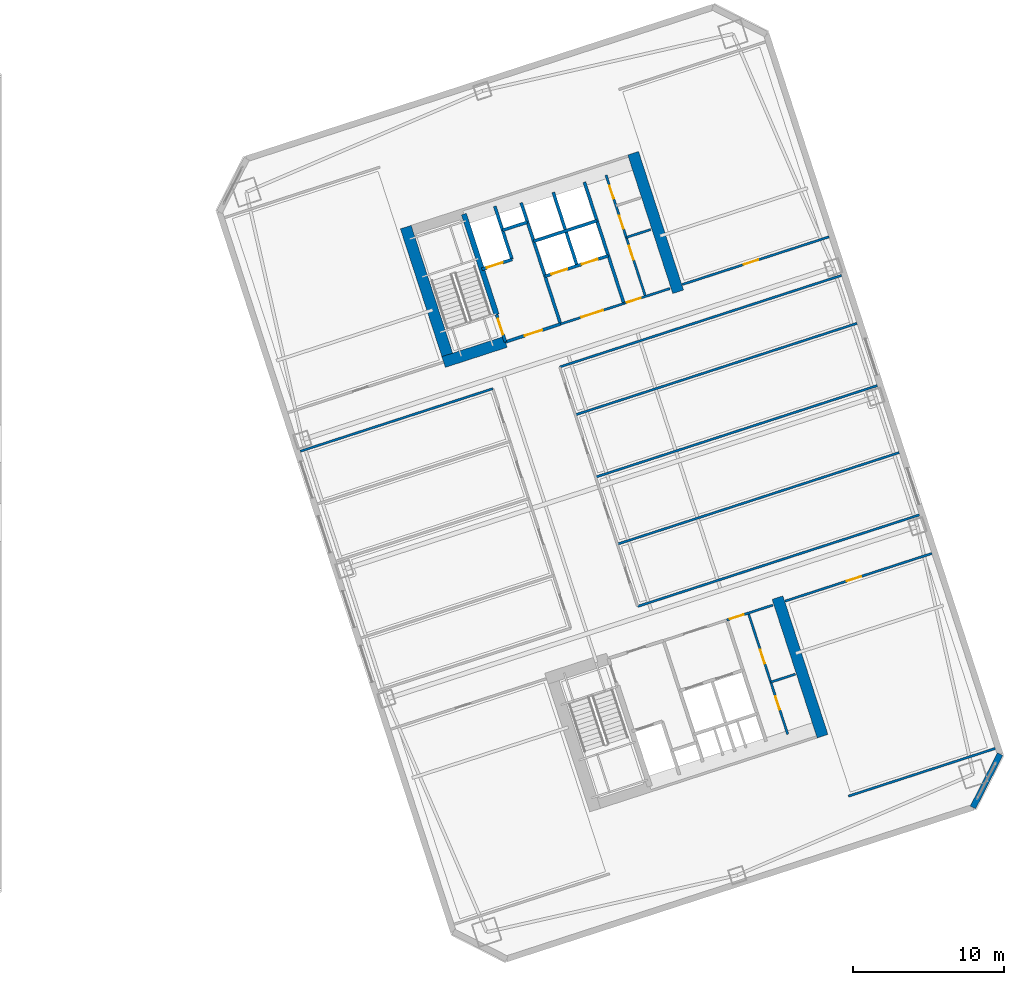
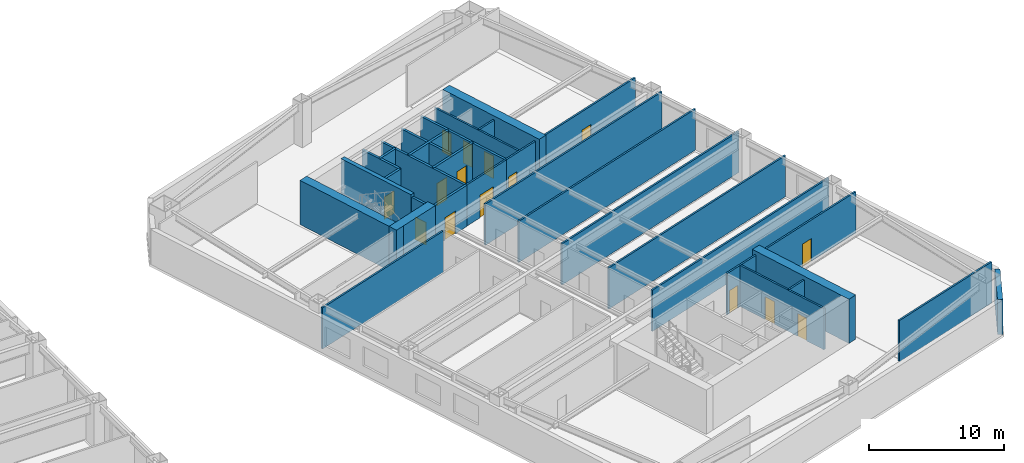
# One storey, part 14 of 24: 32 walls, 15 doors, 15 openings.
"""IFC4 building model written with IfcOpenShell, lengths in metres."""

from ifc_helpers import new_model, si_unit, direction, frame, frame_2d, origin, place, context, subcontext, project, spatial, rectangle, extrude, material, layer, layer_set, type_object, element, fill, save


model = new_model("IFC4")

# Units and contexts
model_context = context("Model", 3, precision=1e-05, world=origin(), true_north=direction((0.0, 1.0)))
body_context = subcontext(model_context, "Body", "Model", "MODEL_VIEW")
ifc_project = project(units=[si_unit("LENGTHUNIT", "METRE"), si_unit("AREAUNIT", "SQUARE_METRE"), si_unit("VOLUMEUNIT", "CUBIC_METRE"), si_unit("PLANEANGLEUNIT", "RADIAN"), si_unit("MASSUNIT", "GRAM", prefix="KILO")], contexts=[model_context])

# Site, building, storey
site_placement = place(None, origin())
site = spatial("IfcSite", under=ifc_project, at=site_placement, CompositionType="ELEMENT")
building_placement = place(site_placement, origin())
building = spatial("IfcBuilding", under=site, at=building_placement, Name="Qiaolan Cultural Towers", CompositionType="ELEMENT")
storey_placement = place(building_placement, frame((0.0, 0.0, 30.0)))
storey = spatial("IfcBuildingStorey", under=building, at=storey_placement, Name="L06", CompositionType="ELEMENT", Elevation=30.0)

# Walls
ifc_material_1 = material(Name="Concrete C50", Category="concrete")
ifc_layer_1 = layer(ifc_material_1, 0.35009765625)
ifc_layer_set_1 = layer_set([ifc_layer_1], Name="Concrete C50")
wall_type_1 = type_object("IfcWallType", Name="WL-CORE-350", PredefinedType="SHEAR", material=ifc_layer_set_1)
wall_1_placement = place(storey_placement, frame((82.513671875, 45.13134765625, 0.0), z_axis=(0.0, 0.0, 1.0), x_axis=(-0.308988790936, 0.951065679686, 0.0)))
element("IfcWall", 1, at=wall_1_placement, inside=storey, type_object=wall_type_1, Name="L06 T2-CN Stair Core Dividing Web", PredefinedType="SHEAR", context=body_context, shape_type="SweptSolid", body=[
    extrude(rectangle(XDim=6.97998046875, YDim=0.35009765625, at=frame_2d((3.489990234375, 0.0))), origin(), (0.0, 0.0, 1.0), 4.0),
])
ifc_material_2 = material(Name="Concrete C60", Category="concrete")
ifc_layer_2 = layer(ifc_material_2, 0.75)
ifc_layer_set_2 = layer_set([ifc_layer_2], Name="Concrete C60")
wall_type_2 = type_object("IfcWallType", Name="WL-CORE-750", PredefinedType="SHEAR", material=ifc_layer_set_2)
for number, where, z_axis, x_axis, name in (
    (2, (101.08203125, 26.428955078125, 0.0), (0.0, 0.0, 1.0), (0.309016134813, -0.951056795583, 0.0), "L06 T2-CS East Core Shear Wall"),
    (3, (79.48876953125, 41.75634765625, 0.0), (0.0, 0.0, 1.0), (-0.309016134813, 0.951056795583, 0.0), "L06 T2-CN West Core Shear Wall"),
    (4, (94.515380859375, 46.638916015625, 0.0), (0.0, 0.0, 1.0), (-0.309016134813, 0.951056795583, 0.0), "L06 T2-CN East Core Shear Wall"),
):
    element("IfcWall", number, at=place(storey_placement, frame(where, z_axis=z_axis, x_axis=x_axis)), inside=storey, type_object=wall_type_2, Name=name, PredefinedType="SHEAR", context=body_context, shape_type="SweptSolid", body=[
        extrude(rectangle(XDim=9.630126953125, YDim=0.75, at=frame_2d((4.81494140625, 0.0))), origin(), (0.0, 0.0, 1.0), 4.0),
    ])
wall_2_placement = place(storey_placement, frame((79.01611328125, 41.997314453125, 0.0), z_axis=(0.0, 0.0, 1.0), x_axis=(0.95106038264, 0.309005094736, 0.0)))
element("IfcWall", 5, at=wall_2_placement, inside=storey, type_object=wall_type_2, Name="L06 T2-CN Stair Front Shear Wall", PredefinedType="SHEAR", context=body_context, shape_type="SweptSolid", body=[
    extrude(rectangle(XDim=4.294921875, YDim=0.75, at=frame_2d((2.1474609375, 0.0))), origin(), (0.0, 0.0, 1.0), 4.0),
])
ifc_material_3 = material(Name="Precast Concrete C50 Honed Stone Pier", Category="masonry")
ifc_layer_3 = layer(ifc_material_3, 0.39990234375)
ifc_layer_set_3 = layer_set([ifc_layer_3], Name="Precast Concrete C50 Honed Stone Pier")
wall_type_3 = type_object("IfcWallType", Name="WL-EXT-PIER-400", PredefinedType="SOLIDWALL", material=ifc_layer_set_3)
wall_3_placement = place(storey_placement, frame((115.79541015625, 16.094970703125, 0.0), z_axis=(0.0, 0.0, 1.0), x_axis=(-0.453958106755, -0.891023028497, 0.0)))
element("IfcWall", 6, at=wall_3_placement, inside=storey, type_object=wall_type_3, Name="L06 East Tower Precast Pier Facade Wall F6", PredefinedType="SOLIDWALL", context=body_context, shape_type="SweptSolid", body=[
    extrude(rectangle(XDim=3.9599609375, YDim=0.39990234375, at=frame_2d((1.97998046875, 0.0))), origin(), (0.0, 0.0, 1.0), 3.159912109375),
])

# Wall, opening, door
ifc_material_4 = material(Name="Concrete C35 Fire Wall", Category="concrete")
ifc_layer_4 = layer(ifc_material_4, 0.199951171875)
ifc_layer_set_4 = layer_set([ifc_layer_4], Name="Concrete C35 Fire Wall")
wall_type_4 = type_object("IfcWallType", Name="WL-FIRE-200", PredefinedType="PARTITIONING", material=ifc_layer_set_4)
wall_4_placement = place(storey_placement, frame((83.100830078125, 43.324462890625, 0.0), z_axis=(0.0, 0.0, 1.0), x_axis=(-0.309048298632, 0.951046344356, 0.0)))
wall_4 = element("IfcWall", 7, at=wall_4_placement, inside=storey, type_object=wall_type_4, Name="L06 T2-CN Smokeproof Stair Entry Wall", PredefinedType="PARTITIONING", context=body_context, shape_type="SweptSolid", body=[
    extrude(rectangle(XDim=1.89990234375, YDim=0.199951171875, at=frame_2d((0.949951171875, 0.0))), origin(), (0.0, 0.0, 1.0), 3.72509765625),
])
opening_1_placement = place(wall_4_placement, frame((0.52001953125, 0.0, 0.0)))
opening_1 = element("IfcOpeningElement", 8, at=opening_1_placement, cuts=wall_4, Name="Opening FD-04", PredefinedType="OPENING", context=body_context, shape_type="SweptSolid", body=[
    extrude(rectangle(XDim=1.10009765625, YDim=2.050048828125, at=frame_2d((0.550048828125, 1.02490234375))), frame((0.0, 0.10986328125, 0.0), z_axis=(0.0, -1.0, 0.0), x_axis=(1.0, 0.0, 0.0)), (0.0, 0.0, 1.0), 0.219970703125),
])
ifc_material_5 = material(Name="Galvanized Steel Command Fire Door", Category="steel")
door_type_1 = type_object("IfcDoorType", Name="DR-FD90-1100", OperationType="NOTDEFINED", PredefinedType="DOOR", material=ifc_material_5)
door_1_placement = place(opening_1_placement, origin())
door_1 = element("IfcDoor", 9, at=door_1_placement, inside=storey, type_object=door_type_1, Name="L06 ST-E2 Smokeproof Stair Fire Door", OperationType="SINGLE_SWING_LEFT", OverallHeight=2.050048828125, OverallWidth=1.10009765625, PredefinedType="DOOR", context=body_context, shape_type="SweptSolid", body=[
    extrude(rectangle(XDim=1.10009765625, YDim=2.050048828125, at=frame_2d((0.550048828125, 1.02490234375))), frame((0.0, 0.02490234375, 0.0), z_axis=(0.0, -1.0, 0.0), x_axis=(1.0, 0.0, 0.0)), (0.0, 0.0, 1.0), 0.050048828125),
])
fill(opening_1, door_1)

# Wall
wall_5_placement = place(storey_placement, frame((86.743408203125, 44.508056640625, 0.0), z_axis=(0.0, 0.0, 1.0), x_axis=(-0.309016001439, 0.951056838919, 0.0)))
element("IfcWall", 10, at=wall_5_placement, inside=storey, type_object=wall_type_4, Name="L06 T2-CN Firefighting Zone Wall", PredefinedType="PARTITIONING", context=body_context, shape_type="SweptSolid", body=[
    extrude(rectangle(XDim=8.429931640625, YDim=0.199951171875, at=frame_2d((4.21484375, 0.0))), origin(), (0.0, 0.0, 1.0), 3.72509765625),
])

# Wall, opening, door
wall_6_placement = place(storey_placement, frame((83.100830078125, 43.324462890625, 0.0), z_axis=(0.0, 0.0, 1.0), x_axis=(0.951052804469, 0.309028417967, 0.0)))
wall_6 = element("IfcWall", 11, at=wall_6_placement, inside=storey, type_object=wall_type_4, Name="L06 T2-CN Firefighting Lobby Front Wall", PredefinedType="PARTITIONING", context=body_context, shape_type="SweptSolid", body=[
    extrude(rectangle(XDim=3.830078125, YDim=0.199951171875, at=frame_2d((1.9150390625, 0.0))), origin(), (0.0, 0.0, 1.0), 3.72509765625),
])
opening_2_placement = place(wall_6_placement, frame((1.35009765625, 0.0, 0.0)))
opening_2 = element("IfcOpeningElement", 12, at=opening_2_placement, cuts=wall_6, Name="Opening FD-03", PredefinedType="OPENING", context=body_context, shape_type="SweptSolid", body=[
    extrude(rectangle(XDim=1.199951171875, YDim=2.050048828125, at=frame_2d((0.60009765625, 1.02490234375))), frame((0.0, 0.10986328125, 0.0), z_axis=(0.0, -1.0, 0.0), x_axis=(1.0, 0.0, 0.0)), (0.0, 0.0, 1.0), 0.219970703125),
])
ifc_material_6 = material(Name="Galvanized Steel Smokeproof Lobby Fire Door", Category="steel")
door_type_2 = type_object("IfcDoorType", Name="DR-FD90-1200", OperationType="NOTDEFINED", PredefinedType="DOOR", material=ifc_material_6)
door_2_placement = place(opening_2_placement, origin())
door_2 = element("IfcDoor", 13, at=door_2_placement, inside=storey, type_object=door_type_2, Name="L06 FFL-E2 Firefighting Lobby Fire Door", OperationType="SINGLE_SWING_LEFT", OverallHeight=2.050048828125, OverallWidth=1.199951171875, PredefinedType="DOOR", context=body_context, shape_type="SweptSolid", body=[
    extrude(rectangle(XDim=1.199951171875, YDim=2.050048828125, at=frame_2d((0.60009765625, 1.02490234375))), frame((0.0, 0.02490234375, 0.0), z_axis=(0.0, -1.0, 0.0), x_axis=(1.0, 0.0, 0.0)), (0.0, 0.0, 1.0), 0.050048828125),
])
fill(opening_2, door_2)

wall_7_placement = place(storey_placement, frame((81.540283203125, 48.127197265625, 0.0), z_axis=(0.0, 0.0, 1.0), x_axis=(0.951062257173, 0.308999325213, 0.0)))
wall_7 = element("IfcWall", 14, at=wall_7_placement, inside=storey, type_object=wall_type_4, Name="L06 T2-CN Firefighting Shaft Front Wall", PredefinedType="PARTITIONING", context=body_context, shape_type="SweptSolid", body=[
    extrude(rectangle(XDim=2.10009765625, YDim=0.199951171875, at=frame_2d((1.050048828125, 0.0))), origin(), (0.0, 0.0, 1.0), 3.72509765625),
])
opening_3_placement = place(wall_7_placement, frame((0.35009765625, 0.0, 0.0)))
opening_3 = element("IfcOpeningElement", 15, at=opening_3_placement, cuts=wall_7, Name="Opening LD-01", PredefinedType="OPENING", context=body_context, shape_type="SweptSolid", body=[
    extrude(rectangle(XDim=1.10009765625, YDim=2.050048828125, at=frame_2d((0.550048828125, 1.02490234375))), frame((0.0, 0.10986328125, 0.0), z_axis=(0.0, -1.0, 0.0), x_axis=(1.0, 0.0, 0.0)), (0.0, 0.0, 1.0), 0.219970703125),
])
ifc_material_7 = material(Name="Brushed Stainless Steel S30408 Centre-Parting Lift Landing Door", Category="steel")
door_type_3 = type_object("IfcDoorType", Name="DR-LIFT-1100", OperationType="NOTDEFINED", PredefinedType="DOOR", material=ifc_material_7)
door_3_placement = place(opening_3_placement, origin())
door_3 = element("IfcDoor", 16, at=door_3_placement, inside=storey, type_object=door_type_3, Name="L06 FFL-E2 Firefighting Lift Landing Door", OperationType="DOUBLE_DOOR_SLIDING", OverallHeight=2.050048828125, OverallWidth=1.10009765625, PredefinedType="DOOR", context=body_context, shape_type="SweptSolid", body=[
    extrude(rectangle(XDim=1.10009765625, YDim=2.050048828125, at=frame_2d((0.550048828125, 1.02490234375))), frame((0.0, 0.02490234375, 0.0), z_axis=(0.0, -1.0, 0.0), x_axis=(1.0, 0.0, 0.0)), (0.0, 0.0, 1.0), 0.050048828125),
])
fill(opening_3, door_3)

# Walls
wall_8_placement = place(storey_placement, frame((83.53759765625, 48.776123046875, 0.0), z_axis=(0.0, 0.0, 1.0), x_axis=(-0.3089935693, 0.951064127245, 0.0)))
element("IfcWall", 17, at=wall_8_placement, inside=storey, type_object=wall_type_4, Name="L06 T2-CN Firefighting Hoistway East Wall", PredefinedType="PARTITIONING", context=body_context, shape_type="SweptSolid", body=[
    extrude(rectangle(XDim=3.7001953125, YDim=0.199951171875, at=frame_2d((1.85009765625, 0.0))), origin(), (0.0, 0.0, 1.0), 3.72509765625),
])
wall_9_placement = place(storey_placement, frame((82.910400390625, 50.706787109375, 0.0), z_axis=(0.0, 0.0, 1.0), x_axis=(0.951041328149, 0.309063734775, 0.0)))
element("IfcWall", 18, at=wall_9_placement, inside=storey, type_object=wall_type_4, Name="L06 T2-CN Pressurization Shaft Front Wall", PredefinedType="PARTITIONING", context=body_context, shape_type="SweptSolid", body=[
    extrude(rectangle(XDim=1.72998046875, YDim=0.199951171875, at=frame_2d((0.864990234375, 0.0))), origin(), (0.0, 0.0, 1.0), 3.72509765625),
])
wall_10_placement = place(storey_placement, frame((90.92822265625, 45.86767578125, 0.0), z_axis=(0.0, 0.0, 1.0), x_axis=(-0.309042196757, 0.951048327176, 0.0)))
element("IfcWall", 19, at=wall_10_placement, inside=storey, type_object=wall_type_4, Name="L06 T2-CN Lift Core East Wall", PredefinedType="PARTITIONING", context=body_context, shape_type="SweptSolid", body=[
    extrude(rectangle(XDim=8.429931640625, YDim=0.199951171875, at=frame_2d((4.21484375, 0.0))), origin(), (0.0, 0.0, 1.0), 3.72509765625),
])

# Wall, openings, doors
wall_11_placement = place(storey_placement, frame((85.717529296875, 47.66552734375, 0.0), z_axis=(0.0, 0.0, 1.0), x_axis=(0.951058531764, 0.30901079133, 0.0)))
wall_11 = element("IfcWall", 20, at=wall_11_placement, inside=storey, type_object=wall_type_4, Name="L06 T2-CN Passenger Lift Shaft Front Wall", PredefinedType="PARTITIONING", context=body_context, shape_type="SweptSolid", body=[
    extrude(rectangle(XDim=4.39990234375, YDim=0.199951171875, at=frame_2d((2.199951171875, 0.0))), origin(), (0.0, 0.0, 1.0), 3.72509765625),
])
opening_4_placement = place(wall_11_placement, frame((0.449951171875, 0.0, 0.0)))
opening_4 = element("IfcOpeningElement", 21, at=opening_4_placement, cuts=wall_11, Name="Opening LD-01", PredefinedType="OPENING", context=body_context, shape_type="SweptSolid", body=[
    extrude(rectangle(XDim=1.10009765625, YDim=2.050048828125, at=frame_2d((0.550048828125, 1.02490234375))), frame((0.0, 0.10986328125, 0.0), z_axis=(0.0, -1.0, 0.0), x_axis=(1.0, 0.0, 0.0)), (0.0, 0.0, 1.0), 0.219970703125),
])
opening_5_placement = place(wall_11_placement, frame((2.550048828125, 0.0, 0.0)))
opening_5 = element("IfcOpeningElement", 22, at=opening_5_placement, cuts=wall_11, Name="Opening LD-01", PredefinedType="OPENING", context=body_context, shape_type="SweptSolid", body=[
    extrude(rectangle(XDim=1.10009765625, YDim=2.050048828125, at=frame_2d((0.550048828125, 1.02490234375))), frame((0.0, 0.10986328125, 0.0), z_axis=(0.0, -1.0, 0.0), x_axis=(1.0, 0.0, 0.0)), (0.0, 0.0, 1.0), 0.219970703125),
])
door_4_placement = place(opening_4_placement, origin())
door_4 = element("IfcDoor", 23, at=door_4_placement, inside=storey, type_object=door_type_3, Name="L06 Passenger Lift 1 Landing Door", OperationType="DOUBLE_DOOR_SLIDING", OverallHeight=2.050048828125, OverallWidth=1.10009765625, PredefinedType="DOOR", context=body_context, shape_type="SweptSolid", body=[
    extrude(rectangle(XDim=1.10009765625, YDim=2.050048828125, at=frame_2d((0.550048828125, 1.02490234375))), frame((0.0, 0.02490234375, 0.0), z_axis=(0.0, -1.0, 0.0), x_axis=(1.0, 0.0, 0.0)), (0.0, 0.0, 1.0), 0.050048828125),
])
fill(opening_4, door_4)
door_5_placement = place(opening_5_placement, origin())
door_5 = element("IfcDoor", 24, at=door_5_placement, inside=storey, type_object=door_type_3, Name="L06 Passenger Lift 2 Landing Door", OperationType="DOUBLE_DOOR_SLIDING", OverallHeight=2.050048828125, OverallWidth=1.10009765625, PredefinedType="DOOR", context=body_context, shape_type="SweptSolid", body=[
    extrude(rectangle(XDim=1.10009765625, YDim=2.050048828125, at=frame_2d((0.550048828125, 1.02490234375))), frame((0.0, 0.02490234375, 0.0), z_axis=(0.0, -1.0, 0.0), x_axis=(1.0, 0.0, 0.0)), (0.0, 0.0, 1.0), 0.050048828125),
])
fill(opening_5, door_5)

# Walls
wall_12_placement = place(storey_placement, frame((87.83837890625, 48.3544921875, 0.0), z_axis=(0.0, 0.0, 1.0), x_axis=(-0.3090093719, 0.951058992953, 0.0)))
element("IfcWall", 25, at=wall_12_placement, inside=storey, type_object=wall_type_4, Name="L06 T2-CN Lift Shaft Divider Wall", PredefinedType="PARTITIONING", context=body_context, shape_type="SweptSolid", body=[
    extrude(rectangle(XDim=5.110107421875, YDim=0.199951171875, at=frame_2d((2.55517578125, 0.0))), origin(), (0.0, 0.0, 1.0), 3.72509765625),
])
wall_13_placement = place(storey_placement, frame((84.966552734375, 49.9765625, 0.0), z_axis=(0.0, 0.0, 1.0), x_axis=(0.951063829732, 0.308994485023, 0.0)))
element("IfcWall", 26, at=wall_13_placement, inside=storey, type_object=wall_type_4, Name="L06 T2-CN Passenger Lift Shaft Back Wall", PredefinedType="PARTITIONING", context=body_context, shape_type="SweptSolid", body=[
    extrude(rectangle(XDim=4.400146484375, YDim=0.199951171875, at=frame_2d((2.2001953125, 0.0))), origin(), (0.0, 0.0, 1.0), 3.72509765625),
])

# Wall, opening, door
ifc_material_8 = material(Name="Autoclaved Aerated Concrete Block B06", Category="concrete")
ifc_layer_5 = layer(ifc_material_8, 0.14990234375)
ifc_layer_set_5 = layer_set([ifc_layer_5], Name="Autoclaved Aerated Concrete Block B06")
wall_type_5 = type_object("IfcWallType", Name="WL-PART-150", PredefinedType="PARTITIONING", material=ifc_layer_set_5)
wall_14_placement = place(storey_placement, frame((97.7265625, 24.9443359375, 0.0), z_axis=(0.0, 0.0, 1.0), x_axis=(0.951036872128, 0.309077446369, 0.0)))
wall_14 = element("IfcWall", 27, at=wall_14_placement, inside=storey, type_object=wall_type_5, Name="L06 T2-CS Sanitary Core Front Wall", PredefinedType="PARTITIONING", context=body_context, shape_type="SweptSolid", body=[
    extrude(rectangle(XDim=3.199951171875, YDim=0.14990234375, at=frame_2d((1.60009765625, 0.0))), origin(), (0.0, 0.0, 1.0), 3.72509765625),
])
opening_6_placement = place(wall_14_placement, frame((0.219970703125, 0.0, 0.0)))
opening_6 = element("IfcOpeningElement", 28, at=opening_6_placement, cuts=wall_14, Name="Opening ID-05", PredefinedType="OPENING", context=body_context, shape_type="SweptSolid", body=[
    extrude(rectangle(XDim=0.949951171875, YDim=2.050048828125, at=frame_2d((0.47509765625, 1.02490234375))), frame((0.0, 0.0849609375, 0.0), z_axis=(0.0, -1.0, 0.0), x_axis=(1.0, 0.0, 0.0)), (0.0, 0.0, 1.0), 0.169921875),
])
ifc_material_9 = material(Name="Fire-Rated Laminate Accessible Core Door", Category="timber")
door_type_4 = type_object("IfcDoorType", Name="DR-INT-950", OperationType="NOTDEFINED", PredefinedType="DOOR", material=ifc_material_9)
door_6_placement = place(opening_6_placement, origin())
door_6 = element("IfcDoor", 29, at=door_6_placement, inside=storey, type_object=door_type_4, Name="L06 Sanitary Lobby Door", OperationType="SINGLE_SWING_LEFT", OverallHeight=2.050048828125, OverallWidth=0.949951171875, PredefinedType="DOOR", context=body_context, shape_type="SweptSolid", body=[
    extrude(rectangle(XDim=0.949951171875, YDim=2.050048828125, at=frame_2d((0.47509765625, 1.02490234375))), frame((0.0, 0.02490234375, 0.0), z_axis=(0.0, -1.0, 0.0), x_axis=(1.0, 0.0, 0.0)), (0.0, 0.0, 1.0), 0.050048828125),
])
fill(opening_6, door_6)

# Wall, openings, doors
wall_15_placement = place(storey_placement, frame((99.153076171875, 25.407958984375, 0.0), z_axis=(0.0, 0.0, 1.0), x_axis=(0.309016001439, -0.951056838919, 0.0)))
wall_15 = element("IfcWall", 30, at=wall_15_placement, inside=storey, type_object=wall_type_5, Name="L06 T2-CS Washroom Split Wall", PredefinedType="PARTITIONING", context=body_context, shape_type="SweptSolid", body=[
    extrude(rectangle(XDim=8.429931640625, YDim=0.14990234375, at=frame_2d((4.21484375, 0.0))), origin(), (0.0, 0.0, 1.0), 3.72509765625),
])
opening_7_placement = place(wall_15_placement, frame((2.550048828125, 0.0, 0.0)))
opening_7 = element("IfcOpeningElement", 31, at=opening_7_placement, cuts=wall_15, Name="Opening ID-05", PredefinedType="OPENING", context=body_context, shape_type="SweptSolid", body=[
    extrude(rectangle(XDim=0.949951171875, YDim=2.050048828125, at=frame_2d((0.47509765625, 1.02490234375))), frame((0.0, 0.0849609375, 0.0), z_axis=(0.0, -1.0, 0.0), x_axis=(1.0, 0.0, 0.0)), (0.0, 0.0, 1.0), 0.169921875),
])
opening_8_placement = place(wall_15_placement, frame((5.800048828125, 0.0, 0.0)))
opening_8 = element("IfcOpeningElement", 32, at=opening_8_placement, cuts=wall_15, Name="Opening ID-06", PredefinedType="OPENING", context=body_context, shape_type="SweptSolid", body=[
    extrude(rectangle(XDim=0.89990234375, YDim=2.050048828125, at=frame_2d((0.449951171875, 1.02490234375))), frame((0.0, 0.0849609375, 0.0), z_axis=(0.0, -1.0, 0.0), x_axis=(1.0, 0.0, 0.0)), (0.0, 0.0, 1.0), 0.169921875),
])
ifc_material_10 = material(Name="Fire-Rated Laminate Core Service Door", Category="timber")
door_type_5 = type_object("IfcDoorType", Name="DR-INT-900", OperationType="NOTDEFINED", PredefinedType="DOOR", material=ifc_material_10)
door_7_placement = place(opening_8_placement, origin())
door_7 = element("IfcDoor", 33, at=door_7_placement, inside=storey, type_object=door_type_5, Name="L06 First-Aid Room Door", OperationType="SINGLE_SWING_RIGHT", OverallHeight=2.050048828125, OverallWidth=0.89990234375, PredefinedType="DOOR", context=body_context, shape_type="SweptSolid", body=[
    extrude(rectangle(XDim=0.89990234375, YDim=2.050048828125, at=frame_2d((0.449951171875, 1.02490234375))), frame((0.0, 0.02490234375, 0.0), z_axis=(0.0, -1.0, 0.0), x_axis=(1.0, 0.0, 0.0)), (0.0, 0.0, 1.0), 0.050048828125),
])
fill(opening_8, door_7)
door_8_placement = place(opening_7_placement, origin())
door_8 = element("IfcDoor", 34, at=door_8_placement, inside=storey, type_object=door_type_4, Name="L06 Accessible Washroom Door", OperationType="SINGLE_SWING_LEFT", OverallHeight=2.050048828125, OverallWidth=0.949951171875, PredefinedType="DOOR", context=body_context, shape_type="SweptSolid", body=[
    extrude(rectangle(XDim=0.949951171875, YDim=2.050048828125, at=frame_2d((0.47509765625, 1.02490234375))), frame((0.0, 0.02490234375, 0.0), z_axis=(0.0, -1.0, 0.0), x_axis=(1.0, 0.0, 0.0)), (0.0, 0.0, 1.0), 0.050048828125),
])
fill(opening_7, door_8)

# Wall
wall_16_placement = place(storey_placement, frame((100.636474609375, 20.8427734375, 0.0), z_axis=(0.0, 0.0, 1.0), x_axis=(0.951040401051, 0.309066587596, 0.0)))
element("IfcWall", 35, at=wall_16_placement, inside=storey, type_object=wall_type_5, Name="L06 T2-CS First-Aid Wall", PredefinedType="PARTITIONING", context=body_context, shape_type="SweptSolid", body=[
    extrude(rectangle(XDim=1.699951171875, YDim=0.14990234375, at=frame_2d((0.85009765625, 0.0))), origin(), (0.0, 0.0, 1.0), 3.72509765625),
])

# Wall, opening, door
wall_17_placement = place(storey_placement, frame((86.743408203125, 44.508056640625, 0.0), z_axis=(0.0, 0.0, 1.0), x_axis=(0.951063829732, 0.308994485023, 0.0)))
wall_17 = element("IfcWall", 36, at=wall_17_placement, inside=storey, type_object=wall_type_5, Name="L06 T2-CN Passenger Lift Lobby Front Wall", PredefinedType="PARTITIONING", context=body_context, shape_type="SweptSolid", body=[
    extrude(rectangle(XDim=4.400146484375, YDim=0.14990234375, at=frame_2d((2.2001953125, 0.0))), origin(), (0.0, 0.0, 1.0), 3.72509765625),
])
opening_9_placement = place(wall_17_placement, frame((1.449951171875, 0.0, 0.0)))
opening_9 = element("IfcOpeningElement", 37, at=opening_9_placement, cuts=wall_17, Name="Opening FD-05", PredefinedType="OPENING", context=body_context, shape_type="SweptSolid", body=[
    extrude(rectangle(XDim=1.5, YDim=2.050048828125, at=frame_2d((0.75, 1.02490234375))), frame((0.0, 0.0849609375, 0.0), z_axis=(0.0, -1.0, 0.0), x_axis=(1.0, 0.0, 0.0)), (0.0, 0.0, 1.0), 0.169921875),
])
ifc_material_11 = material(Name="Painted Steel Lift Lobby Fire Door", Category="steel")
door_type_6 = type_object("IfcDoorType", Name="DR-FD60-1500", OperationType="NOTDEFINED", PredefinedType="DOOR", material=ifc_material_11)
door_9_placement = place(opening_9_placement, origin())
door_9 = element("IfcDoor", 38, at=door_9_placement, inside=storey, type_object=door_type_6, Name="L06 Passenger Lift Lobby Entrance", OperationType="SINGLE_SWING_LEFT", OverallHeight=2.050048828125, OverallWidth=1.5, PredefinedType="DOOR", context=body_context, shape_type="SweptSolid", body=[
    extrude(rectangle(XDim=1.5, YDim=2.050048828125, at=frame_2d((0.75, 1.02490234375))), frame((0.0, 0.02490234375, 0.0), z_axis=(0.0, -1.0, 0.0), x_axis=(1.0, 0.0, 0.0)), (0.0, 0.0, 1.0), 0.050048828125),
])
fill(opening_9, door_9)

wall_18_placement = place(storey_placement, frame((90.92822265625, 45.86767578125, 0.0), z_axis=(0.0, 0.0, 1.0), x_axis=(0.951059297078, 0.309008435874, 0.0)))
wall_18 = element("IfcWall", 39, at=wall_18_placement, inside=storey, type_object=wall_type_5, Name="L06 T2-CN Sanitary Core Front Wall", PredefinedType="PARTITIONING", context=body_context, shape_type="SweptSolid", body=[
    extrude(rectangle(XDim=3.19970703125, YDim=0.14990234375, at=frame_2d((1.599853515625, 0.0))), origin(), (0.0, 0.0, 1.0), 3.72509765625),
])
opening_10_placement = place(wall_18_placement, frame((0.219970703125, 0.0, 0.0)))
opening_10 = element("IfcOpeningElement", 40, at=opening_10_placement, cuts=wall_18, Name="Opening ID-05", PredefinedType="OPENING", context=body_context, shape_type="SweptSolid", body=[
    extrude(rectangle(XDim=0.949951171875, YDim=2.050048828125, at=frame_2d((0.47509765625, 1.02490234375))), frame((0.0, 0.0849609375, 0.0), z_axis=(0.0, -1.0, 0.0), x_axis=(1.0, 0.0, 0.0)), (0.0, 0.0, 1.0), 0.169921875),
])
door_10_placement = place(opening_10_placement, origin())
door_10 = element("IfcDoor", 41, at=door_10_placement, inside=storey, type_object=door_type_4, Name="L06 Sanitary Vestibule Door", OperationType="SINGLE_SWING_LEFT", OverallHeight=2.050048828125, OverallWidth=0.949951171875, PredefinedType="DOOR", context=body_context, shape_type="SweptSolid", body=[
    extrude(rectangle(XDim=0.949951171875, YDim=2.050048828125, at=frame_2d((0.47509765625, 1.02490234375))), frame((0.0, 0.02490234375, 0.0), z_axis=(0.0, -1.0, 0.0), x_axis=(1.0, 0.0, 0.0)), (0.0, 0.0, 1.0), 0.050048828125),
])
fill(opening_10, door_10)

# Wall, openings, doors
wall_19_placement = place(storey_placement, frame((92.354736328125, 46.3310546875, 0.0), z_axis=(0.0, 0.0, 1.0), x_axis=(-0.309007490203, 0.951059604335, 0.0)))
wall_19 = element("IfcWall", 42, at=wall_19_placement, inside=storey, type_object=wall_type_5, Name="L06 T2-CN Sanitary Vestibule Wall", PredefinedType="PARTITIONING", context=body_context, shape_type="SweptSolid", body=[
    extrude(rectangle(XDim=8.43017578125, YDim=0.14990234375, at=frame_2d((4.215087890625, 0.0))), origin(), (0.0, 0.0, 1.0), 3.72509765625),
])
opening_11_placement = place(wall_19_placement, frame((2.550048828125, 0.0, 0.0)))
opening_11 = element("IfcOpeningElement", 43, at=opening_11_placement, cuts=wall_19, Name="Opening ID-05", PredefinedType="OPENING", context=body_context, shape_type="SweptSolid", body=[
    extrude(rectangle(XDim=0.949951171875, YDim=2.050048828125, at=frame_2d((0.47509765625, 1.02490234375))), frame((0.0, 0.0849609375, 0.0), z_axis=(0.0, -1.0, 0.0), x_axis=(1.0, 0.0, 0.0)), (0.0, 0.0, 1.0), 0.169921875),
])
opening_12_placement = place(wall_19_placement, frame((4.699951171875, 0.0, 0.0)))
opening_12 = element("IfcOpeningElement", 44, at=opening_12_placement, cuts=wall_19, Name="Opening ID-06", PredefinedType="OPENING", context=body_context, shape_type="SweptSolid", body=[
    extrude(rectangle(XDim=0.89990234375, YDim=2.050048828125, at=frame_2d((0.449951171875, 1.02490234375))), frame((0.0, 0.0849609375, 0.0), z_axis=(0.0, -1.0, 0.0), x_axis=(1.0, 0.0, 0.0)), (0.0, 0.0, 1.0), 0.169921875),
])
opening_13_placement = place(wall_19_placement, frame((6.800048828125, 0.0, 0.0)))
opening_13 = element("IfcOpeningElement", 45, at=opening_13_placement, cuts=wall_19, Name="Opening ID-06", PredefinedType="OPENING", context=body_context, shape_type="SweptSolid", body=[
    extrude(rectangle(XDim=0.89990234375, YDim=2.050048828125, at=frame_2d((0.449951171875, 1.02490234375))), frame((0.0, 0.0849609375, 0.0), z_axis=(0.0, -1.0, 0.0), x_axis=(1.0, 0.0, 0.0)), (0.0, 0.0, 1.0), 0.169921875),
])
door_11_placement = place(opening_12_placement, origin())
door_11 = element("IfcDoor", 46, at=door_11_placement, inside=storey, type_object=door_type_5, Name="L06 Men Washroom Door", OperationType="SINGLE_SWING_LEFT", OverallHeight=2.050048828125, OverallWidth=0.89990234375, PredefinedType="DOOR", context=body_context, shape_type="SweptSolid", body=[
    extrude(rectangle(XDim=0.89990234375, YDim=2.050048828125, at=frame_2d((0.449951171875, 1.02490234375))), frame((0.0, 0.02490234375, 0.0), z_axis=(0.0, -1.0, 0.0), x_axis=(1.0, 0.0, 0.0)), (0.0, 0.0, 1.0), 0.050048828125),
])
fill(opening_12, door_11)
door_12_placement = place(opening_13_placement, origin())
door_12 = element("IfcDoor", 47, at=door_12_placement, inside=storey, type_object=door_type_5, Name="L06 Women Washroom Door", OperationType="SINGLE_SWING_RIGHT", OverallHeight=2.050048828125, OverallWidth=0.89990234375, PredefinedType="DOOR", context=body_context, shape_type="SweptSolid", body=[
    extrude(rectangle(XDim=0.89990234375, YDim=2.050048828125, at=frame_2d((0.449951171875, 1.02490234375))), frame((0.0, 0.02490234375, 0.0), z_axis=(0.0, -1.0, 0.0), x_axis=(1.0, 0.0, 0.0)), (0.0, 0.0, 1.0), 0.050048828125),
])
fill(opening_13, door_12)
door_13_placement = place(opening_11_placement, origin())
door_13 = element("IfcDoor", 48, at=door_13_placement, inside=storey, type_object=door_type_4, Name="L06 Accessible Family Washroom Door", OperationType="SINGLE_SWING_LEFT", OverallHeight=2.050048828125, OverallWidth=0.949951171875, PredefinedType="DOOR", context=body_context, shape_type="SweptSolid", body=[
    extrude(rectangle(XDim=0.949951171875, YDim=2.050048828125, at=frame_2d((0.47509765625, 1.02490234375))), frame((0.0, 0.02490234375, 0.0), z_axis=(0.0, -1.0, 0.0), x_axis=(1.0, 0.0, 0.0)), (0.0, 0.0, 1.0), 0.050048828125),
])
fill(opening_11, door_13)

# Walls
wall_20_placement = place(storey_placement, frame((91.087646484375, 50.23046875, 0.0), z_axis=(0.0, 0.0, 1.0), x_axis=(0.951054116971, 0.309024378638, 0.0)))
element("IfcWall", 49, at=wall_20_placement, inside=storey, type_object=wall_type_5, Name="L06 T2-CN Restroom Split Wall 1", PredefinedType="PARTITIONING", context=body_context, shape_type="SweptSolid", body=[
    extrude(rectangle(XDim=1.7001953125, YDim=0.14990234375, at=frame_2d((0.85009765625, 0.0))), origin(), (0.0, 0.0, 1.0), 3.72509765625),
])
wall_21_placement = place(storey_placement, frame((105.765380859375, 13.30908203125, 0.0), z_axis=(0.0, 0.0, 1.0), x_axis=(0.951054294345, 0.309023832749, 0.0)))
element("IfcWall", 50, at=wall_21_placement, inside=storey, type_object=wall_type_5, Name="L06 T2 Flank Wall FLK-SE", PredefinedType="PARTITIONING", context=body_context, shape_type="SweptSolid", body=[
    extrude(rectangle(XDim=10.2001953125, YDim=0.14990234375, at=frame_2d((5.10009765625, 0.0))), origin(), (0.0, 0.0, 1.0), 3.72509765625),
])

# Wall, opening, door
wall_22_placement = place(storey_placement, frame((101.578369140625, 26.196044921875, 0.0), z_axis=(0.0, 0.0, 1.0), x_axis=(0.951059043131, 0.309009217467, 0.0)))
wall_22 = element("IfcWall", 51, at=wall_22_placement, inside=storey, type_object=wall_type_5, Name="L06 T2 Flank Front FLK-SE", PredefinedType="PARTITIONING", context=body_context, shape_type="SweptSolid", body=[
    extrude(rectangle(XDim=10.199951171875, YDim=0.14990234375, at=frame_2d((5.10009765625, 0.0))), origin(), (0.0, 0.0, 1.0), 3.72509765625),
])
opening_14_placement = place(wall_22_placement, frame((4.283935546875, 0.0, 0.0)))
opening_14 = element("IfcOpeningElement", 52, at=opening_14_placement, cuts=wall_22, Name="Opening ID-04", PredefinedType="OPENING", context=body_context, shape_type="SweptSolid", body=[
    extrude(rectangle(XDim=1.0, YDim=2.050048828125, at=frame_2d((0.5, 1.02490234375))), frame((0.0, 0.0849609375, 0.0), z_axis=(0.0, -1.0, 0.0), x_axis=(1.0, 0.0, 0.0)), (0.0, 0.0, 1.0), 0.169921875),
])
ifc_material_12 = material(Name="Oak Veneer Acoustic Office Door", Category="timber")
door_type_7 = type_object("IfcDoorType", Name="DR-INT-1000", OperationType="NOTDEFINED", PredefinedType="DOOR", material=ifc_material_12)
door_14_placement = place(opening_14_placement, origin())
door_14 = element("IfcDoor", 53, at=door_14_placement, inside=storey, type_object=door_type_7, Name="L06 T2 Corner Studio Door", OperationType="SINGLE_SWING_LEFT", OverallHeight=2.050048828125, OverallWidth=1.0, PredefinedType="DOOR", context=body_context, shape_type="SweptSolid", body=[
    extrude(rectangle(XDim=1.0, YDim=2.050048828125, at=frame_2d((0.5, 1.02490234375))), frame((0.0, 0.02490234375, 0.0), z_axis=(0.0, -1.0, 0.0), x_axis=(1.0, 0.0, 0.0)), (0.0, 0.0, 1.0), 0.050048828125),
])
fill(opening_14, door_14)

wall_23_placement = place(storey_placement, frame((94.77978515625, 47.119140625, 0.0), z_axis=(0.0, 0.0, 1.0), x_axis=(0.951054294345, 0.309023832749, 0.0)))
wall_23 = element("IfcWall", 54, at=wall_23_placement, inside=storey, type_object=wall_type_5, Name="L06 T2 Flank Front FLK-NE", PredefinedType="PARTITIONING", context=body_context, shape_type="SweptSolid", body=[
    extrude(rectangle(XDim=10.2001953125, YDim=0.14990234375, at=frame_2d((5.10009765625, 0.0))), origin(), (0.0, 0.0, 1.0), 3.72509765625),
])
opening_15_placement = place(wall_23_placement, frame((4.283935546875, 0.0, 0.0)))
opening_15 = element("IfcOpeningElement", 55, at=opening_15_placement, cuts=wall_23, Name="Opening ID-04", PredefinedType="OPENING", context=body_context, shape_type="SweptSolid", body=[
    extrude(rectangle(XDim=1.0, YDim=2.050048828125, at=frame_2d((0.5, 1.02490234375))), frame((0.0, 0.0849609375, 0.0), z_axis=(0.0, -1.0, 0.0), x_axis=(1.0, 0.0, 0.0)), (0.0, 0.0, 1.0), 0.169921875),
])
door_15_placement = place(opening_15_placement, origin())
door_15 = element("IfcDoor", 56, at=door_15_placement, inside=storey, type_object=door_type_7, Name="L06 T2 Corner Studio Door", OperationType="SINGLE_SWING_LEFT", OverallHeight=2.050048828125, OverallWidth=1.0, PredefinedType="DOOR", context=body_context, shape_type="SweptSolid", body=[
    extrude(rectangle(XDim=1.0, YDim=2.050048828125, at=frame_2d((0.5, 1.02490234375))), frame((0.0, 0.02490234375, 0.0), z_axis=(0.0, -1.0, 0.0), x_axis=(1.0, 0.0, 0.0)), (0.0, 0.0, 1.0), 0.050048828125),
])
fill(opening_15, door_15)

# Walls
wall_24_placement = place(storey_placement, frame((91.833984375, 25.84765625, 0.0), z_axis=(0.0, 0.0, 1.0), x_axis=(0.951055605195, 0.309019798438, 0.0)))
element("IfcWall", 57, at=wall_24_placement, inside=storey, type_object=wall_type_5, Name="L06 T2 South Corridor Right Wall", PredefinedType="PARTITIONING", context=body_context, shape_type="SweptSolid", body=[
    extrude(rectangle(XDim=19.574951171875, YDim=0.14990234375, at=frame_2d((9.78759765625, 0.0))), origin(), (0.0, 0.0, 1.0), 3.72509765625),
])
wall_25_placement = place(storey_placement, frame((69.549072265625, 36.103271484375, 0.0), z_axis=(0.0, 0.0, 1.0), x_axis=(0.951058077006, 0.309012190961, 0.0)))
element("IfcWall", 58, at=wall_25_placement, inside=storey, type_object=wall_type_5, Name="L06 T2 North Corridor Left Wall", PredefinedType="PARTITIONING", context=body_context, shape_type="SweptSolid", body=[
    extrude(rectangle(XDim=13.375, YDim=0.14990234375, at=frame_2d((6.6875, 0.0))), origin(), (0.0, 0.0, 1.0), 3.72509765625),
])
for number, where, z_axis, x_axis, name in (
    (59, (86.69189453125, 41.67333984375, 0.0), (0.0, 0.0, 1.0), (0.951055605195, 0.309019798438, 0.0), "L06 T2 North Corridor Right Wall"),
    (60, (90.4970703125, 29.96240234375, 0.0), (0.0, 0.0, 1.0), (0.951055605195, 0.309019798438, 0.0), "L06 T2 East Partition 1"),
    (61, (89.05712890625, 34.3935546875, 0.0), (0.0, 0.0, 1.0), (0.951055605195, 0.309019798438, 0.0), "L06 T2 East Partition 2"),
    (62, (87.72021484375, 38.50830078125, 0.0), (0.0, 0.0, 1.0), (0.951059270613, 0.309008517326, 0.0), "L06 T2 East Partition 3"),
):
    element("IfcWall", number, at=place(storey_placement, frame(where, z_axis=z_axis, x_axis=x_axis)), inside=storey, type_object=wall_type_5, Name=name, PredefinedType="PARTITIONING", context=body_context, shape_type="SweptSolid", body=[
        extrude(rectangle(XDim=19.574951171875, YDim=0.14990234375, at=frame_2d((9.78759765625, 0.0))), origin(), (0.0, 0.0, 1.0), 3.72509765625),
    ])

save(model, "model.ifc")
